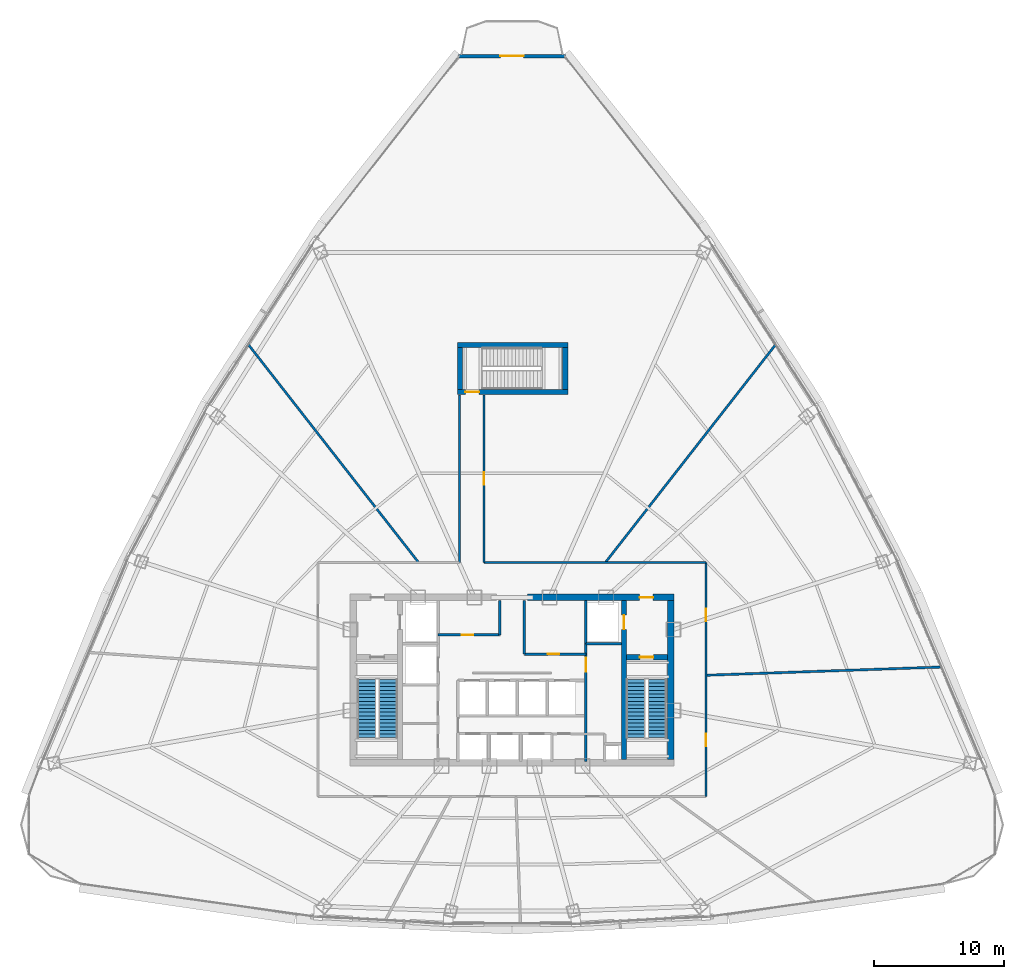
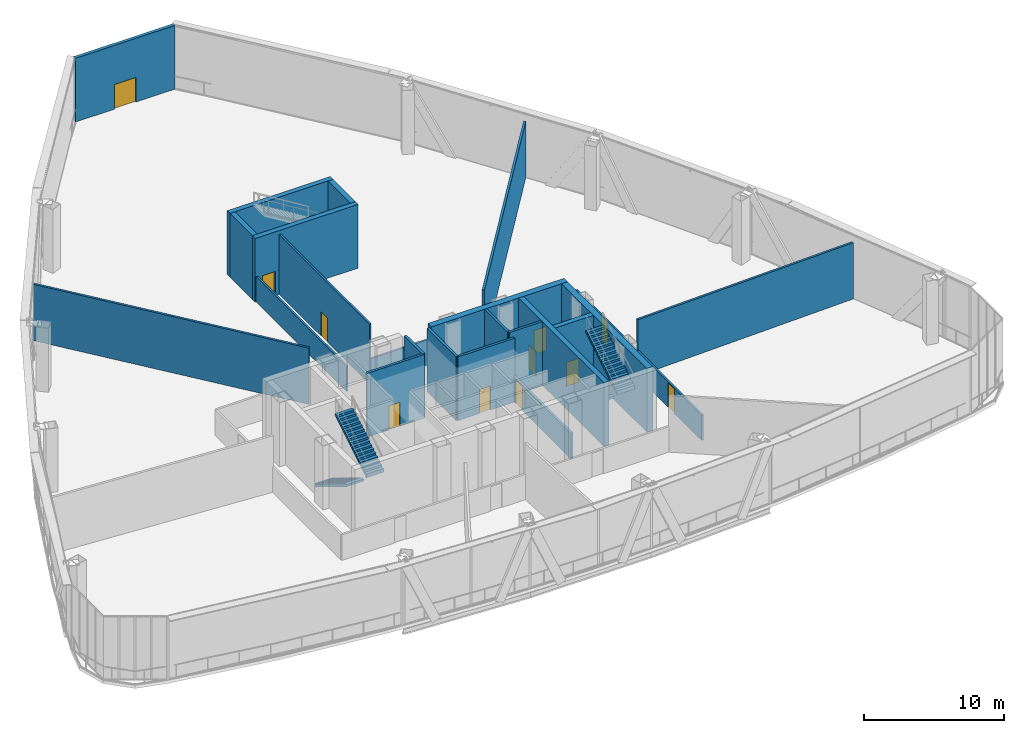
# One storey, part 31 of 38: 23 walls, 11 doors, 4 stair flights, 11 openings, 2 elements without a shape of their own.
"""IFC4 building model written with IfcOpenShell, lengths in metres."""

import ifcopenshell
import ifcopenshell.guid

model = None  # the IFC model being written
_history = None  # IfcOwnerHistory: only IFC2X3 demands one
_inside = {}  # id of a spatial element -> (the spatial element, [elements in it])
_under = {}  # id of a project, library or spatial element -> (it, [spatial elements below it])
_declared = {}  # id of a project -> (the project, [libraries it declares])
_typed = {}  # id of a type object -> (the type object, [elements of that type])
_made_of = {}  # id of a material, layer set ... -> (it, [elements and type objects made of it])


def new_model(schema):
    """Start an empty IFC model of exactly this schema.

    Asked for "IFC4X3", IfcOpenShell would pick the latest addendum, in which some entities
    have other attributes; the version numbers below select the first issue.
    IFC2X3 requires an IfcOwnerHistory on every rooted entity: one is made here for all.
    """
    global model, _history
    if schema == "IFC4X3":
        model = ifcopenshell.file(schema_version=(4, 3, 0, 0))
    else:
        model = ifcopenshell.file(schema=schema)
    _inside.clear()
    _under.clear()
    _declared.clear()
    _typed.clear()
    _made_of.clear()
    _history = None
    if model.schema == "IFC2X3":
        org = make("IfcOrganization", Name="unknown")
        user = make(
            "IfcPersonAndOrganization",
            ThePerson=make("IfcPerson", FamilyName="unknown"),
            TheOrganization=org,
        )
        app = make(
            "IfcApplication",
            ApplicationDeveloper=org,
            Version="unknown",
            ApplicationFullName="unknown",
            ApplicationIdentifier="unknown",
        )
        _history = make(
            "IfcOwnerHistory",
            OwningUser=user,
            OwningApplication=app,
            ChangeAction="ADDED",
            CreationDate=0,
        )
    return model


def make(cls, **values):
    """One entity of the class cls with the attributes given. An attribute that is None is left unset."""
    return model.create_entity(
        cls, **{name: value for name, value in values.items() if value is not None}
    )


def rooted(cls, **values):
    """An entity with a GlobalId (a new one), such as an element, a storey or a relation."""
    return make(cls, GlobalId=ifcopenshell.guid.new(), OwnerHistory=_history, **values)


def si_unit(unit_type, name, prefix=None):
    """IfcSIUnit, for example si_unit("LENGTHUNIT", "METRE", prefix="MILLI")."""
    return make("IfcSIUnit", UnitType=unit_type, Prefix=prefix, Name=name)


def assignment(units):
    """IfcUnitAssignment: the units of a project."""
    return None if units is None else make("IfcUnitAssignment", Units=units)


def point(xyz):
    """IfcCartesianPoint."""
    return None if xyz is None else make("IfcCartesianPoint", Coordinates=xyz)


def direction(xyz):
    """IfcDirection."""
    return None if xyz is None else make("IfcDirection", DirectionRatios=xyz)


def frame(location, z_axis=None, x_axis=None):
    """IfcAxis2Placement3D, a coordinate frame: its origin and axes. An axis left out is left unset."""
    return make(
        "IfcAxis2Placement3D",
        Location=point(location),
        Axis=direction(z_axis),
        RefDirection=direction(x_axis),
    )


def frame_2d(location, x_axis=None):
    """IfcAxis2Placement2D, a coordinate frame in the plane: its origin and x axis."""
    return make(
        "IfcAxis2Placement2D", Location=point(location), RefDirection=direction(x_axis)
    )


def origin():
    """The frame at (0, 0, 0) with its axes left unset."""
    return frame((0.0, 0.0, 0.0))


def origin_with_axes():
    """The frame at (0, 0, 0) with the z axis (0, 0, 1) and the x axis (1, 0, 0) written out."""
    return frame((0.0, 0.0, 0.0), z_axis=(0.0, 0.0, 1.0), x_axis=(1.0, 0.0, 0.0))


def place(relative_to, where):
    """IfcLocalPlacement: puts the frame where relative to a parent placement (None: the world)."""
    return make(
        "IfcLocalPlacement", PlacementRelTo=relative_to, RelativePlacement=where
    )


def context(
    kind, dimensions, precision=None, world=None, true_north=None, identifier=None
):
    """IfcGeometricRepresentationContext, for example the 3D "Model" context."""
    return make(
        "IfcGeometricRepresentationContext",
        ContextIdentifier=identifier,
        ContextType=kind,
        CoordinateSpaceDimension=dimensions,
        Precision=precision,
        WorldCoordinateSystem=world,
        TrueNorth=true_north,
    )


def subcontext(parent, identifier, kind, view, scale=None):
    """IfcGeometricRepresentationSubContext, for example "Body" below "Model"."""
    return make(
        "IfcGeometricRepresentationSubContext",
        ContextIdentifier=identifier,
        ContextType=kind,
        ParentContext=parent,
        TargetScale=scale,
        TargetView=view,
    )


def project(units=None, contexts=None):
    """IfcProject with its units and contexts."""
    return rooted(
        "IfcProject",
        Name="project",
        RepresentationContexts=contexts,
        UnitsInContext=assignment(units),
    )


def spatial(cls, under=None, at=None, **own):
    """A site, building, storey or space (cls), placed at a placement, below another one or the project."""
    s = rooted(cls, ObjectPlacement=at, **own)
    if under is not None:
        _under.setdefault(under.id(), (under, []))[1].append(s)
    return s


def polyline(points):
    """IfcPolyline through the points."""
    return make("IfcPolyline", Points=[point(p) for p in points])


def profile(cls, at=None, kind="AREA", **sizes):
    """A parametric profile (cls). Its sizes go by their IFC names, for example OverallWidth=200.0."""
    return make(cls, ProfileType=kind, Position=at, **sizes)


def rectangle(**sizes):
    """IfcRectangleProfileDef."""
    return profile("IfcRectangleProfileDef", **sizes)


def outline(outer, holes=None, kind="AREA"):
    """IfcArbitraryClosedProfileDef: a profile drawn as a closed curve; with holes, ...WithVoids."""
    if holes is None:
        return make("IfcArbitraryClosedProfileDef", ProfileType=kind, OuterCurve=outer)
    return make(
        "IfcArbitraryProfileDefWithVoids",
        ProfileType=kind,
        OuterCurve=outer,
        InnerCurves=holes,
    )


def extrude(swept, where, along, depth):
    """IfcExtrudedAreaSolid: the profile swept, set in the frame where, extruded along a direction by depth."""
    return make(
        "IfcExtrudedAreaSolid",
        SweptArea=swept,
        Position=where,
        ExtrudedDirection=direction(along),
        Depth=depth,
    )


def shape(context_of_items, identifier, shape_type, items):
    """IfcShapeRepresentation: the items that make up one representation, for example the "Body"."""
    return make(
        "IfcShapeRepresentation",
        ContextOfItems=context_of_items,
        RepresentationIdentifier=identifier,
        RepresentationType=shape_type,
        Items=items,
    )


def source(mapping_origin, context_of_items, identifier, shape_type, items):
    """IfcRepresentationMap: a shape defined once, which mapped items show again and again."""
    return make(
        "IfcRepresentationMap",
        MappingOrigin=mapping_origin,
        MappedRepresentation=shape(context_of_items, identifier, shape_type, items),
    )


def transform(
    local_origin,
    x_axis=None,
    y_axis=None,
    z_axis=None,
    scale=None,
    scale2=None,
    scale3=None,
    uniform=True,
):
    """IfcCartesianTransformationOperator3D, or its non-uniform kind. x_axis, y_axis, z_axis: its Axis1, 2, 3."""
    if uniform:
        return make(
            "IfcCartesianTransformationOperator3D",
            Axis1=direction(x_axis),
            Axis2=direction(y_axis),
            LocalOrigin=point(local_origin),
            Scale=scale,
            Axis3=direction(z_axis),
        )
    return make(
        "IfcCartesianTransformationOperator3DnonUniform",
        Axis1=direction(x_axis),
        Axis2=direction(y_axis),
        LocalOrigin=point(local_origin),
        Scale=scale,
        Axis3=direction(z_axis),
        Scale2=scale2,
        Scale3=scale3,
    )


def mapped(mapping_source, mapping_target):
    """IfcMappedItem: shows the shape of a source again, moved by a transform."""
    return make(
        "IfcMappedItem", MappingSource=mapping_source, MappingTarget=mapping_target
    )


def material(Name=None, Category=None):
    """IfcMaterial."""
    return make("IfcMaterial", Name=Name, Category=Category)


def layer(
    of_material, thickness, ventilated=None, Name=None, Category=None, Priority=None
):
    """IfcMaterialLayer: one layer of a wall or slab, of a material (None: an air gap)."""
    return make(
        "IfcMaterialLayer",
        Material=of_material,
        LayerThickness=thickness,
        IsVentilated=ventilated,
        Name=Name,
        Category=Category,
        Priority=Priority,
    )


def layer_set(layers, Name=None):
    """IfcMaterialLayerSet."""
    return make("IfcMaterialLayerSet", MaterialLayers=layers, LayerSetName=Name)


def made_of(thing, what):
    """Note that an element or type object is made of a material, layer set ...; save() writes the relation."""
    if what is not None:
        _made_of.setdefault(what.id(), (what, []))[1].append(thing)
    return thing


def type_object(cls, material=None, **own):
    """A type object (cls), such as IfcWallType, which elements share."""
    return made_of(rooted(cls, **own), material)


def element(
    cls,
    number,
    at=None,
    inside=None,
    cuts=None,
    type_object=None,
    material=None,
    context=None,
    identifier="Body",
    shape_type=None,
    held_by="IfcProductDefinitionShape",
    body=None,
    shapes=None,
    **own,
):
    """One element of the class cls, such as IfcWall. Its Tag is "e" and its number.

    at: its placement. inside: the storey or other place that contains it. cuts: it is an
    opening in that element (IfcRelVoidsElement). A single representation is given by context,
    identifier, shape_type and body (its items); several are given by shapes. held_by: the class
    of the entity that holds the representations. save() writes the other relations.
    """
    e = rooted(cls, Tag="e%d" % number, ObjectPlacement=at, **own)
    if body is not None:
        shapes = [shape(context, identifier, shape_type, body)]
    if shapes is not None:
        e.Representation = make(held_by, Representations=shapes)
    if inside is not None:
        _inside.setdefault(inside.id(), (inside, []))[1].append(e)
    if cuts is not None:
        rooted(
            "IfcRelVoidsElement", RelatingBuildingElement=cuts, RelatedOpeningElement=e
        )
    if type_object is not None:
        _typed.setdefault(type_object.id(), (type_object, []))[1].append(e)
    return made_of(e, material)


def fill(opening, filler):
    """IfcRelFillsElement: the door or window that sits in an opening."""
    return rooted(
        "IfcRelFillsElement",
        RelatingOpeningElement=opening,
        RelatedBuildingElement=filler,
    )


def aggregate(whole, parts):
    """IfcRelAggregates: a whole, such as a stair, and the parts it consists of."""
    return rooted("IfcRelAggregates", RelatingObject=whole, RelatedObjects=parts)


def save(model, path):
    """Write the relations noted so far, then the file.

    IfcRelAggregates (storeys below a building ...), IfcRelContainedInSpatialStructure (elements
    in a storey), IfcRelDefinesByType, IfcRelAssociatesMaterial and IfcRelDeclares: one each for
    every whole, place, type object, material and project.
    """
    for whole, parts in _under.values():
        aggregate(whole, parts)
    for where, things in _inside.values():
        rooted(
            "IfcRelContainedInSpatialStructure",
            RelatedElements=things,
            RelatingStructure=where,
        )
    for kind, things in _typed.values():
        rooted("IfcRelDefinesByType", RelatedObjects=things, RelatingType=kind)
    for what, things in _made_of.values():
        rooted("IfcRelAssociatesMaterial", RelatedObjects=things, RelatingMaterial=what)
    for by, libraries in _declared.values():
        rooted("IfcRelDeclares", RelatingContext=by, RelatedDefinitions=libraries)
    model.write(path)


model = new_model("IFC4")

# Units and contexts
model_context = context("Model", 3, precision=1e-05, world=origin(), true_north=direction((0.0, 1.0)))
body_context = subcontext(model_context, "Body", "Model", "MODEL_VIEW")
ifc_project = project(units=[si_unit("LENGTHUNIT", "METRE"), si_unit("AREAUNIT", "SQUARE_METRE"), si_unit("VOLUMEUNIT", "CUBIC_METRE"), si_unit("PLANEANGLEUNIT", "RADIAN"), si_unit("MASSUNIT", "GRAM", prefix="KILO"), si_unit("THERMODYNAMICTEMPERATUREUNIT", "KELVIN"), si_unit("POWERUNIT", "WATT")], contexts=[model_context])

# Site, building, storey
site_placement = place(None, origin())
site = spatial("IfcSite", under=ifc_project, at=site_placement, CompositionType="ELEMENT")
building_placement = place(site_placement, origin())
building = spatial("IfcBuilding", under=site, at=building_placement, Name="Yunzhuo Pagoda Commons", CompositionType="ELEMENT")
storey_placement = place(building_placement, frame((0.0, 0.0, 218.9599609375)))
storey = spatial("IfcBuildingStorey", under=building, at=storey_placement, Name="L55", CompositionType="ELEMENT", Elevation=218.9599609375)

# Wall, opening, door
ifc_material_1 = material(Name="Precast concrete C40", Category="concrete")
ifc_layer_1 = layer(ifc_material_1, 0.260009765625)
ifc_layer_set_1 = layer_set([ifc_layer_1], Name="Precast concrete C40")
wall_type_1 = type_object("IfcWallType", Name="W-BAL1 Corner Balcony Threshold Wall 260", PredefinedType="STANDARD", material=ifc_layer_set_1)
wall_1_placement = place(storey_placement, frame((52.117919921875, 81.80419921875, 0.0), z_axis=(0.0, 0.0, 1.0), x_axis=(-1.0, 0.0, 0.0)))
wall_1 = element("IfcWall", 1, at=wall_1_placement, inside=storey, type_object=wall_type_1, Name="L55 corner balcony wall V3", PredefinedType="STANDARD", context=body_context, shape_type="SweptSolid", body=[
    extrude(rectangle(XDim=8.23583984375, YDim=0.260009765625, at=frame_2d((4.117919921875, 0.0))), origin(), (0.0, 0.0, 1.0), 5.570068359375),
])
opening_1_placement = place(wall_1_placement, frame((3.218017578125, 0.0, 0.0)))
opening_1 = element("IfcOpeningElement", 2, at=opening_1_placement, cuts=wall_1, Name="Opening D-BAL1", PredefinedType="OPENING", context=body_context, shape_type="SweptSolid", body=[
    extrude(rectangle(XDim=1.800048828125, YDim=2.14990234375, at=frame_2d((0.89990234375, 1.074951171875))), frame((0.0, 0.14013671875, 0.0), z_axis=(0.0, -1.0, 0.0), x_axis=(1.0, 0.0, 0.0)), (0.0, 0.0, 1.0), 0.280029296875),
])
ifc_material_2 = material(Name="Anodized aluminium frame and tempered glazed leaf", Category="aluminium")
door_type_1 = type_object("IfcDoorType", Name="D-BAL1 Corner Balcony Sliding Glazed Door 1800x2150", OperationType="DOUBLE_DOOR_SLIDING", PredefinedType="DOOR", material=ifc_material_2)
shared_shape_1 = source(origin(), body_context, "Body", "SweptSolid", [
    extrude(rectangle(XDim=1.800048828125, YDim=2.14990234375, at=frame_2d((0.89990234375, 1.074951171875))), frame((0.0, 0.02490234375, 0.0), z_axis=(0.0, -1.0, 0.0), x_axis=(1.0, 0.0, 0.0)), (0.0, 0.0, 1.0), 0.050048828125),
])
door_1_placement = place(opening_1_placement, origin_with_axes())
door_1 = element("IfcDoor", 3, at=door_1_placement, inside=storey, type_object=door_type_1, Name="L55 corner balcony sliding door V3", OperationType="DOUBLE_DOOR_SLIDING", OverallHeight=2.14990234375, OverallWidth=1.800048828125, PredefinedType="DOOR", context=body_context, shape_type="MappedRepresentation", body=[
    mapped(shared_shape_1, transform((0.0, 0.0, 0.0), scale=1.0)),
])
fill(opening_1, door_1)

ifc_material_3 = material(Name="Concrete C50", Category="concrete")
ifc_layer_2 = layer(ifc_material_3, 0.5)
ifc_layer_set_2 = layer_set([ifc_layer_2], Name="Concrete C50")
wall_type_2 = type_object("IfcWallType", Name="W-C03 Upper Core Shear Wall 500", PredefinedType="SHEAR", material=ifc_layer_set_2)
wall_2_placement = place(storey_placement, frame((49.199951171875, 40.199951171875, 0.0), z_axis=(0.0, 0.0, 1.0), x_axis=(1.0, 0.0, 0.0)))
wall_2 = element("IfcWall", 4, at=wall_2_placement, inside=storey, type_object=wall_type_2, Name="L55 core shear wall NE", PredefinedType="SHEAR", context=body_context, shape_type="SweptSolid", body=[
    extrude(rectangle(XDim=11.25, YDim=0.5, at=frame_2d((5.625, 0.0))), origin(), (0.0, 0.0, 1.0), 5.570068359375),
])
opening_2_placement = place(wall_2_placement, frame((8.60009765625, 0.0, 0.0)))
opening_2 = element("IfcOpeningElement", 5, at=opening_2_placement, cuts=wall_2, Name="Opening D-02", PredefinedType="OPENING", context=body_context, shape_type="SweptSolid", body=[
    extrude(rectangle(XDim=1.050048828125, YDim=2.10009765625, at=frame_2d((0.52490234375, 1.050048828125))), frame((0.0, 0.260009765625, 0.0), z_axis=(0.0, -1.0, 0.0), x_axis=(1.0, 0.0, 0.0)), (0.0, 0.0, 1.0), 0.52001953125),
])
ifc_material_4 = material(Name="Galvanized fire-resisting metal leaf")
door_type_2 = type_object("IfcDoorType", Name="D-02 Firefighting Lobby & Refuge Fire Door 1050x2100", OperationType="NOTDEFINED", PredefinedType="DOOR", material=ifc_material_4)
shared_shape_2 = source(origin(), body_context, "Body", "SweptSolid", [
    extrude(rectangle(XDim=1.050048828125, YDim=2.10009765625, at=frame_2d((0.52490234375, 1.050048828125))), frame((0.0, 0.02490234375, 0.0), z_axis=(0.0, -1.0, 0.0), x_axis=(1.0, 0.0, 0.0)), (0.0, 0.0, 1.0), 0.050048828125),
])
door_2_placement = place(opening_2_placement, frame((1.050048828125, 0.0, 0.0), z_axis=(0.0, 0.0, 1.0), x_axis=(-1.0, 0.0, 0.0)))
door_2 = element("IfcDoor", 6, at=door_2_placement, inside=storey, type_object=door_type_2, Name="L55 Firefighting Lobby 2 fire door", OperationType="SINGLE_SWING_RIGHT", OverallHeight=2.10009765625, OverallWidth=1.050048828125, PredefinedType="DOOR", context=body_context, shape_type="MappedRepresentation", body=[
    mapped(shared_shape_2, transform((0.0, 0.0, 0.0), scale=1.0)),
])
fill(opening_2, door_2)

# Wall
wall_3_placement = place(storey_placement, frame((60.199951171875, 27.75, 0.0), z_axis=(0.0, 0.0, 1.0), x_axis=(0.0, 1.0, 0.0)))
element("IfcWall", 7, at=wall_3_placement, inside=storey, type_object=wall_type_2, Name="L55 core shear wall E", PredefinedType="SHEAR", context=body_context, shape_type="SweptSolid", body=[
    extrude(rectangle(XDim=12.199951171875, YDim=0.5, at=frame_2d((6.10009765625, 0.0))), origin(), (0.0, 0.0, 1.0), 5.570068359375),
])

# Wall, opening, door
ifc_material_5 = material(Name="Gypsum plasterboard on acoustic stud")
ifc_layer_3 = layer(ifc_material_5, 0.155029296875)
ifc_layer_set_3 = layer_set([ifc_layer_3], Name="Gypsum plasterboard on acoustic stud")
wall_type_3 = type_object("IfcWallType", Name="W-COR2 Mid-Zone Rated Corridor Wall 155", PredefinedType="PARTITIONING", material=ifc_layer_set_3)
wall_4_placement = place(storey_placement, frame((45.85009765625, 55.780029296875, 0.0), z_axis=(0.0, 0.0, 1.0), x_axis=(0.0, -1.0, 0.0)))
wall_4 = element("IfcWall", 8, at=wall_4_placement, inside=storey, type_object=wall_type_3, Name="L55 interior wall IW-L55-SCW01", PredefinedType="PARTITIONING", context=body_context, shape_type="SweptSolid", body=[
    extrude(rectangle(XDim=12.880126953125, YDim=0.155029296875, at=frame_2d((6.43994140625, 0.0))), origin(), (0.0, 0.0, 1.0), 5.219970703125),
])
opening_3_placement = place(wall_4_placement, frame((5.965087890625, 0.0, 0.0)))
opening_3 = element("IfcOpeningElement", 9, at=opening_3_placement, cuts=wall_4, Name="Opening D-07", PredefinedType="OPENING", context=body_context, shape_type="SweptSolid", body=[
    extrude(rectangle(XDim=0.9599609375, YDim=2.1201171875, at=frame_2d((0.47998046875, 1.06005859375))), frame((0.0, 0.08740234375, 0.0), z_axis=(0.0, -1.0, 0.0), x_axis=(1.0, 0.0, 0.0)), (0.0, 0.0, 1.0), 0.175048828125),
])
door_type_3 = type_object("IfcDoorType", Name="D-07 Mid-Zone Suite Entrance Fire Door 960x2120", OperationType="NOTDEFINED", PredefinedType="DOOR", material=ifc_material_4)
shared_shape_3 = source(origin(), body_context, "Body", "SweptSolid", [
    extrude(rectangle(XDim=0.9599609375, YDim=2.1201171875, at=frame_2d((0.47998046875, 1.06005859375))), frame((0.0, 0.02490234375, 0.0), z_axis=(0.0, -1.0, 0.0), x_axis=(1.0, 0.0, 0.0)), (0.0, 0.0, 1.0), 0.050048828125),
])
door_3_placement = place(opening_3_placement, origin_with_axes())
door_3 = element("IfcDoor", 10, at=door_3_placement, inside=storey, type_object=door_type_3, Name="L55 Co-Working Study Commons door", OperationType="SINGLE_SWING_RIGHT", OverallHeight=2.1201171875, OverallWidth=0.9599609375, PredefinedType="DOOR", context=body_context, shape_type="MappedRepresentation", body=[
    mapped(shared_shape_3, transform((0.0, 0.0, 0.0), scale=1.0)),
])
fill(opening_3, door_3)

# Wall
wall_5_placement = place(storey_placement, frame((45.85009765625, 42.89990234375, 0.0), z_axis=(0.0, 0.0, 1.0), x_axis=(1.0, 0.0, 0.0)))
element("IfcWall", 11, at=wall_5_placement, inside=storey, type_object=wall_type_3, Name="L55 interior wall IW-L55-SCW02", PredefinedType="PARTITIONING", context=body_context, shape_type="SweptSolid", body=[
    extrude(rectangle(XDim=17.0498046875, YDim=0.155029296875, at=frame_2d((8.52490234375, 0.0))), origin(), (0.0, 0.0, 1.0), 2.219970703125),
])

# Wall, openings, doors
wall_6_placement = place(storey_placement, frame((62.89990234375, 42.89990234375, 0.0), z_axis=(0.0, 0.0, 1.0), x_axis=(0.0, -1.0, 0.0)))
wall_6 = element("IfcWall", 12, at=wall_6_placement, inside=storey, type_object=wall_type_3, Name="L55 interior wall IW-L55-SCW03", PredefinedType="PARTITIONING", context=body_context, shape_type="SweptSolid", body=[
    extrude(rectangle(XDim=18.0, YDim=0.155029296875, at=frame_2d((9.0, 0.0))), origin(), (0.0, 0.0, 1.0), 2.219970703125),
])
opening_4_placement = place(wall_6_placement, frame((3.564697265625, 0.0, 0.0)))
opening_4 = element("IfcOpeningElement", 13, at=opening_4_placement, cuts=wall_6, Name="Opening D-07", PredefinedType="OPENING", context=body_context, shape_type="SweptSolid", body=[
    extrude(rectangle(XDim=0.9599609375, YDim=2.1201171875, at=frame_2d((0.47998046875, 1.06005859375))), frame((0.0, 0.08740234375, 0.0), z_axis=(0.0, -1.0, 0.0), x_axis=(1.0, 0.0, 0.0)), (0.0, 0.0, 1.0), 0.175048828125),
])
opening_5_placement = place(wall_6_placement, frame((13.164794921875, 0.0, 0.0)))
opening_5 = element("IfcOpeningElement", 14, at=opening_5_placement, cuts=wall_6, Name="Opening D-07", PredefinedType="OPENING", context=body_context, shape_type="SweptSolid", body=[
    extrude(rectangle(XDim=0.9599609375, YDim=2.1201171875, at=frame_2d((0.47998046875, 1.06005859375))), frame((0.0, 0.08740234375, 0.0), z_axis=(0.0, -1.0, 0.0), x_axis=(1.0, 0.0, 0.0)), (0.0, 0.0, 1.0), 0.175048828125),
])
door_4_placement = place(opening_4_placement, origin_with_axes())
door_4 = element("IfcDoor", 15, at=door_4_placement, inside=storey, type_object=door_type_3, Name="L55 Mid-to-High Sky Lobby Gallery door", OperationType="SINGLE_SWING_LEFT", OverallHeight=2.1201171875, OverallWidth=0.9599609375, PredefinedType="DOOR", context=body_context, shape_type="MappedRepresentation", body=[
    mapped(shared_shape_3, transform((0.0, 0.0, 0.0), scale=1.0)),
])
fill(opening_4, door_4)
door_5_placement = place(opening_5_placement, origin_with_axes())
door_5 = element("IfcDoor", 16, at=door_5_placement, inside=storey, type_object=door_type_3, Name="L55 Sky Lobby Study Lounge door", OperationType="SINGLE_SWING_LEFT", OverallHeight=2.1201171875, OverallWidth=0.9599609375, PredefinedType="DOOR", context=body_context, shape_type="MappedRepresentation", body=[
    mapped(shared_shape_3, transform((0.0, 0.0, 0.0), scale=1.0)),
])
fill(opening_5, door_5)

# Walls
wall_7_placement = place(storey_placement, frame((43.949951171875, 42.89990234375, 0.0), z_axis=(0.0, 0.0, 1.0), x_axis=(0.0, 1.0, 0.0)))
element("IfcWall", 17, at=wall_7_placement, inside=storey, type_object=wall_type_3, Name="L55 interior wall IW-L55-SCW07", PredefinedType="PARTITIONING", context=body_context, shape_type="SweptSolid", body=[
    extrude(rectangle(XDim=12.880126953125, YDim=0.155029296875, at=frame_2d((6.43994140625, 0.0))), origin(), (0.0, 0.0, 1.0), 2.219970703125),
])
ifc_layer_4 = layer(ifc_material_5, 0.175048828125)
ifc_layer_set_4 = layer_set([ifc_layer_4], Name="Gypsum plasterboard on acoustic stud")
wall_type_4 = type_object("IfcWallType", Name="W-PRT3 Mid-Zone Demising Wall 175", PredefinedType="PARTITIONING", material=ifc_layer_set_4)
wall_8_placement = place(storey_placement, frame((62.89990234375, 34.22021484375, 0.0), z_axis=(0.0, 0.0, 1.0), x_axis=(0.999390657583, 0.034904348392, 0.0)))
element("IfcWall", 18, at=wall_8_placement, inside=storey, type_object=wall_type_4, Name="L55 interior wall IW-L55-SRAD1", PredefinedType="PARTITIONING", context=body_context, shape_type="SweptSolid", body=[
    extrude(rectangle(XDim=18.164794921875, YDim=0.175048828125, at=frame_2d((9.08251953125, 0.0))), origin(), (0.0, 0.0, 1.0), 4.919921875),
])
for number, where, z_axis, x_axis, name in (
    (19, (55.187744140625, 42.89990234375, 0.0), (0.0, 0.0, 1.0), (0.615664301783, 0.788008545328, 0.0), "L55 interior wall IW-L55-SRAD2"),
    (20, (40.812255859375, 42.89990234375, 0.0), (0.0, 0.0, 1.0), (-0.615664301783, 0.788008545328, 0.0), "L55 interior wall IW-L55-SRAD3"),
):
    element("IfcWall", number, at=place(storey_placement, frame(where, z_axis=z_axis, x_axis=x_axis)), inside=storey, type_object=wall_type_4, Name=name, PredefinedType="PARTITIONING", context=body_context, shape_type="SweptSolid", body=[
        extrude(rectangle(XDim=21.280029296875, YDim=0.175048828125, at=frame_2d((10.64013671875, 0.0))), origin(), (0.0, 0.0, 1.0), 4.919921875),
    ])

# Wall, opening, door
ifc_material_6 = material(Name="Concrete C60", Category="concrete")
ifc_layer_5 = layer(ifc_material_6, 0.39990234375)
ifc_layer_set_5 = layer_set([ifc_layer_5], Name="Concrete C60")
wall_type_5 = type_object("IfcWallType", Name="W-S01 Internal Core Shear Web 400", PredefinedType="SHEAR", material=ifc_layer_set_5)
wall_9_placement = place(storey_placement, frame((56.60009765625, 27.75, 0.0), z_axis=(0.0, 0.0, 1.0), x_axis=(0.0, 1.0, 0.0)))
wall_9 = element("IfcWall", 21, at=wall_9_placement, inside=storey, type_object=wall_type_5, Name="L55 core shear wall WEBE", PredefinedType="SHEAR", context=body_context, shape_type="SweptSolid", body=[
    extrude(rectangle(XDim=12.199951171875, YDim=0.39990234375, at=frame_2d((6.10009765625, 0.0))), origin(), (0.0, 0.0, 1.0), 5.570068359375),
])
opening_6_placement = place(wall_9_placement, frame((10.0, 0.0, 0.0)))
opening_6 = element("IfcOpeningElement", 22, at=opening_6_placement, cuts=wall_9, Name="Opening LD-01", PredefinedType="OPENING", context=body_context, shape_type="SweptSolid", body=[
    extrude(rectangle(XDim=1.10009765625, YDim=2.10009765625, at=frame_2d((0.550048828125, 1.050048828125))), frame((0.0, 0.2099609375, 0.0), z_axis=(0.0, -1.0, 0.0), x_axis=(1.0, 0.0, 0.0)), (0.0, 0.0, 1.0), 0.419921875),
])
door_type_4 = type_object("IfcDoorType", Name="LD-01 Firefighting Lift Landing Door 1100x2100", OperationType="DOUBLE_DOOR_SLIDING", PredefinedType="DOOR", material=ifc_material_4)
shared_shape_4 = source(origin(), body_context, "Body", "SweptSolid", [
    extrude(rectangle(XDim=1.10009765625, YDim=2.10009765625, at=frame_2d((0.550048828125, 1.050048828125))), frame((0.0, 0.02490234375, 0.0), z_axis=(0.0, -1.0, 0.0), x_axis=(1.0, 0.0, 0.0)), (0.0, 0.0, 1.0), 0.050048828125),
])
door_6_placement = place(opening_6_placement, origin_with_axes())
door_6 = element("IfcDoor", 23, at=door_6_placement, inside=storey, type_object=door_type_4, Name="L55 Firefighting lift FL-2 landing door", OperationType="DOUBLE_DOOR_SLIDING", OverallHeight=2.10009765625, OverallWidth=1.10009765625, PredefinedType="DOOR", context=body_context, shape_type="MappedRepresentation", body=[
    mapped(shared_shape_4, transform((0.0, 0.0, 0.0), scale=1.0)),
])
fill(opening_6, door_6)

wall_10_placement = place(storey_placement, frame((56.800048828125, 35.60009765625, 0.0), z_axis=(0.0, 0.0, 1.0), x_axis=(1.0, 0.0, 0.0)))
wall_10 = element("IfcWall", 24, at=wall_10_placement, inside=storey, type_object=wall_type_5, Name="L55 core shear wall STE", PredefinedType="SHEAR", context=body_context, shape_type="SweptSolid", body=[
    extrude(rectangle(XDim=3.14990234375, YDim=0.39990234375, at=frame_2d((1.574951171875, 0.0))), origin(), (0.0, 0.0, 1.0), 5.570068359375),
])
opening_7_placement = place(wall_10_placement, frame((1.02001953125, 0.0, 0.0)))
opening_7 = element("IfcOpeningElement", 25, at=opening_7_placement, cuts=wall_10, Name="Opening D-01", PredefinedType="OPENING", context=body_context, shape_type="SweptSolid", body=[
    extrude(rectangle(XDim=1.050048828125, YDim=2.10009765625, at=frame_2d((0.52490234375, 1.050048828125))), frame((0.0, 0.2099609375, 0.0), z_axis=(0.0, -1.0, 0.0), x_axis=(1.0, 0.0, 0.0)), (0.0, 0.0, 1.0), 0.419921875),
])
door_type_5 = type_object("IfcDoorType", Name="D-01 Smokeproof Stair Fire Door 1050x2100", OperationType="NOTDEFINED", PredefinedType="DOOR", material=ifc_material_4)
door_7_placement = place(opening_7_placement, frame((1.050048828125, 0.0, 0.0), z_axis=(0.0, 0.0, 1.0), x_axis=(-1.0, 0.0, 0.0)))
door_7 = element("IfcDoor", 26, at=door_7_placement, inside=storey, type_object=door_type_5, Name="L55 Stair ST2 fire door", OperationType="SINGLE_SWING_RIGHT", OverallHeight=2.10009765625, OverallWidth=1.050048828125, PredefinedType="DOOR", context=body_context, shape_type="MappedRepresentation", body=[
    mapped(shared_shape_2, transform((0.0, 0.0, 0.0), scale=1.0)),
])
fill(opening_7, door_7)

# Wall
wall_11_placement = place(storey_placement, frame((43.800048828125, 59.60009765625, 0.0), z_axis=(0.0, 0.0, 1.0), x_axis=(1.0, 0.0, 0.0)))
element("IfcWall", 27, at=wall_11_placement, inside=storey, type_object=wall_type_5, Name="L55 ST3 structural stair wall N", PredefinedType="SHEAR", context=body_context, shape_type="SweptSolid", body=[
    extrude(rectangle(XDim=8.5, YDim=0.39990234375, at=frame_2d((4.25, 0.0))), origin(), (0.0, 0.0, 1.0), 5.570068359375),
])

# Wall, opening, door
wall_12_placement = place(storey_placement, frame((43.800048828125, 56.0, 0.0), z_axis=(0.0, 0.0, 1.0), x_axis=(1.0, 0.0, 0.0)))
wall_12 = element("IfcWall", 28, at=wall_12_placement, inside=storey, type_object=wall_type_5, Name="L55 ST3 structural stair wall S", PredefinedType="SHEAR", context=body_context, shape_type="SweptSolid", body=[
    extrude(rectangle(XDim=8.5, YDim=0.39990234375, at=frame_2d((4.25, 0.0))), origin(), (0.0, 0.0, 1.0), 5.570068359375),
])
opening_8_placement = place(wall_12_placement, frame((0.6201171875, 0.0, 0.0)))
opening_8 = element("IfcOpeningElement", 29, at=opening_8_placement, cuts=wall_12, Name="Opening D-01", PredefinedType="OPENING", context=body_context, shape_type="SweptSolid", body=[
    extrude(rectangle(XDim=1.050048828125, YDim=2.10009765625, at=frame_2d((0.52490234375, 1.050048828125))), frame((0.0, 0.2099609375, 0.0), z_axis=(0.0, -1.0, 0.0), x_axis=(1.0, 0.0, 0.0)), (0.0, 0.0, 1.0), 0.419921875),
])
door_8_placement = place(opening_8_placement, frame((1.050048828125, 0.0, 0.0), z_axis=(0.0, 0.0, 1.0), x_axis=(-1.0, 0.0, 0.0)))
door_8 = element("IfcDoor", 30, at=door_8_placement, inside=storey, type_object=door_type_5, Name="L55 Stair ST3 fire door", OperationType="SINGLE_SWING_LEFT", OverallHeight=2.10009765625, OverallWidth=1.050048828125, PredefinedType="DOOR", context=body_context, shape_type="MappedRepresentation", body=[
    mapped(shared_shape_2, transform((0.0, 0.0, 0.0), scale=1.0)),
])
fill(opening_8, door_8)

# Walls
for number, where, z_axis, x_axis, name in (
    (31, (44.0, 56.199951171875, 0.0), (0.0, 0.0, 1.0), (0.0, 1.0, 0.0), "L55 ST3 structural stair wall W"),
    (32, (52.10009765625, 56.199951171875, 0.0), (0.0, 0.0, 1.0), (0.0, 1.0, 0.0), "L55 ST3 structural stair wall E"),
):
    element("IfcWall", number, at=place(storey_placement, frame(where, z_axis=z_axis, x_axis=x_axis)), inside=storey, type_object=wall_type_5, Name=name, PredefinedType="SHEAR", context=body_context, shape_type="SweptSolid", body=[
        extrude(rectangle(XDim=3.199951171875, YDim=0.39990234375, at=frame_2d((1.60009765625, 0.0))), origin(), (0.0, 0.0, 1.0), 5.570068359375),
    ])
ifc_material_7 = material(Name="Concrete C40", Category="concrete")
ifc_layer_6 = layer(ifc_material_7, 0.199951171875)
ifc_layer_set_6 = layer_set([ifc_layer_6], Name="Concrete C40")
wall_type_6 = type_object("IfcWallType", Name="W-SHF Shaft & Stair Enclosure Wall 200", PredefinedType="SOLIDWALL", material=ifc_layer_set_6)
wall_13_placement = place(storey_placement, frame((53.679931640625, 36.64990234375, 0.0), z_axis=(0.0, 0.0, 1.0), x_axis=(0.0, 1.0, 0.0)))
element("IfcWall", 33, at=wall_13_placement, inside=storey, type_object=wall_type_6, Name="L55 interior wall IW-L55-FL2W", PredefinedType="SOLIDWALL", context=body_context, shape_type="SweptSolid", body=[
    extrude(rectangle(XDim=3.300048828125, YDim=0.199951171875, at=frame_2d((1.64990234375, 0.0))), origin(), (0.0, 0.0, 1.0), 5.570068359375),
])
wall_14_placement = place(storey_placement, frame((53.679931640625, 36.64990234375, 0.0), z_axis=(0.0, 0.0, 1.0), x_axis=(1.0, 0.0, 0.0)))
element("IfcWall", 34, at=wall_14_placement, inside=storey, type_object=wall_type_6, Name="L55 interior wall IW-L55-FL2S", PredefinedType="SOLIDWALL", context=body_context, shape_type="SweptSolid", body=[
    extrude(rectangle(XDim=2.719970703125, YDim=0.199951171875, at=frame_2d((1.35986328125, 0.0))), origin(), (0.0, 0.0, 1.0), 5.570068359375),
])

# Wall, opening, door
wall_15_placement = place(storey_placement, frame((42.320068359375, 37.320068359375, 0.0), z_axis=(0.0, 0.0, 1.0), x_axis=(1.0, 0.0, 0.0)))
wall_15 = element("IfcWall", 35, at=wall_15_placement, inside=storey, type_object=wall_type_6, Name="L55 interior wall IW-L55-LBNW", PredefinedType="SOLIDWALL", context=body_context, shape_type="SweptSolid", body=[
    extrude(rectangle(XDim=4.72998046875, YDim=0.199951171875, at=frame_2d((2.364990234375, 0.0))), origin(), (0.0, 0.0, 1.0), 5.570068359375),
])
opening_9_placement = place(wall_15_placement, frame((1.800048828125, 0.0, 0.0)))
opening_9 = element("IfcOpeningElement", 36, at=opening_9_placement, cuts=wall_15, Name="Opening D-03", PredefinedType="OPENING", context=body_context, shape_type="SweptSolid", body=[
    extrude(rectangle(XDim=0.89990234375, YDim=2.10009765625, at=frame_2d((0.449951171875, 1.050048828125))), frame((0.0, 0.10986328125, 0.0), z_axis=(0.0, -1.0, 0.0), x_axis=(1.0, 0.0, 0.0)), (0.0, 0.0, 1.0), 0.219970703125),
])
door_type_6 = type_object("IfcDoorType", Name="D-03 Core Service Fire Door 900x2100", OperationType="NOTDEFINED", PredefinedType="DOOR", material=ifc_material_4)
shared_shape_5 = source(origin(), body_context, "Body", "SweptSolid", [
    extrude(rectangle(XDim=0.89990234375, YDim=2.10009765625, at=frame_2d((0.449951171875, 1.050048828125))), frame((0.0, 0.02490234375, 0.0), z_axis=(0.0, -1.0, 0.0), x_axis=(1.0, 0.0, 0.0)), (0.0, 0.0, 1.0), 0.050048828125),
])
door_9_placement = place(opening_9_placement, frame((0.89990234375, 0.0, 0.0), z_axis=(0.0, 0.0, 1.0), x_axis=(-1.0, 0.0, 0.0)))
door_9 = element("IfcDoor", 37, at=door_9_placement, inside=storey, type_object=door_type_6, Name="L55 core west store door", OperationType="SINGLE_SWING_LEFT", OverallHeight=2.10009765625, OverallWidth=0.89990234375, PredefinedType="DOOR", context=body_context, shape_type="MappedRepresentation", body=[
    mapped(shared_shape_5, transform((0.0, 0.0, 0.0), scale=1.0)),
])
fill(opening_9, door_9)

wall_16_placement = place(storey_placement, frame((48.949951171875, 35.85009765625, 0.0), z_axis=(0.0, 0.0, 1.0), x_axis=(1.0, 0.0, 0.0)))
wall_16 = element("IfcWall", 38, at=wall_16_placement, inside=storey, type_object=wall_type_6, Name="L55 interior wall IW-L55-LBNE", PredefinedType="SOLIDWALL", context=body_context, shape_type="SweptSolid", body=[
    extrude(rectangle(XDim=4.72998046875, YDim=0.199951171875, at=frame_2d((2.364990234375, 0.0))), origin(), (0.0, 0.0, 1.0), 5.570068359375),
])
opening_10_placement = place(wall_16_placement, frame((1.800048828125, 0.0, 0.0)))
opening_10 = element("IfcOpeningElement", 39, at=opening_10_placement, cuts=wall_16, Name="Opening D-03", PredefinedType="OPENING", context=body_context, shape_type="SweptSolid", body=[
    extrude(rectangle(XDim=0.89990234375, YDim=2.10009765625, at=frame_2d((0.449951171875, 1.050048828125))), frame((0.0, 0.10986328125, 0.0), z_axis=(0.0, -1.0, 0.0), x_axis=(1.0, 0.0, 0.0)), (0.0, 0.0, 1.0), 0.219970703125),
])
door_10_placement = place(opening_10_placement, frame((0.89990234375, 0.0, 0.0), z_axis=(0.0, 0.0, 1.0), x_axis=(-1.0, 0.0, 0.0)))
door_10 = element("IfcDoor", 40, at=door_10_placement, inside=storey, type_object=door_type_6, Name="L55 core east store door", OperationType="SINGLE_SWING_RIGHT", OverallHeight=2.10009765625, OverallWidth=0.89990234375, PredefinedType="DOOR", context=body_context, shape_type="MappedRepresentation", body=[
    mapped(shared_shape_5, transform((0.0, 0.0, 0.0), scale=1.0)),
])
fill(opening_10, door_10)

# Walls
wall_17_placement = place(storey_placement, frame((47.050048828125, 37.320068359375, 0.0), z_axis=(0.0, 0.0, 1.0), x_axis=(0.0, 1.0, 0.0)))
element("IfcWall", 41, at=wall_17_placement, inside=storey, type_object=wall_type_6, Name="L55 interior wall IW-L55-THRW", PredefinedType="SOLIDWALL", context=body_context, shape_type="SweptSolid", body=[
    extrude(rectangle(XDim=2.6298828125, YDim=0.199951171875, at=frame_2d((1.31494140625, 0.0))), origin(), (0.0, 0.0, 1.0), 5.570068359375),
])
wall_18_placement = place(storey_placement, frame((48.949951171875, 35.85009765625, 0.0), z_axis=(0.0, 0.0, 1.0), x_axis=(0.0, 1.0, 0.0)))
element("IfcWall", 42, at=wall_18_placement, inside=storey, type_object=wall_type_6, Name="L55 interior wall IW-L55-THRE", PredefinedType="SOLIDWALL", context=body_context, shape_type="SweptSolid", body=[
    extrude(rectangle(XDim=4.099853515625, YDim=0.199951171875, at=frame_2d((2.0498046875, 0.0))), origin(), (0.0, 0.0, 1.0), 5.570068359375),
])

# Wall, opening, door
wall_19_placement = place(storey_placement, frame((53.679931640625, 27.60009765625, 0.0), z_axis=(0.0, 0.0, 1.0), x_axis=(0.0, 1.0, 0.0)))
wall_19 = element("IfcWall", 43, at=wall_19_placement, inside=storey, type_object=wall_type_6, Name="L55 interior wall IW-L55-PLME", PredefinedType="SOLIDWALL", context=body_context, shape_type="SweptSolid", body=[
    extrude(rectangle(XDim=9.0498046875, YDim=0.199951171875, at=frame_2d((4.52490234375, 0.0))), origin(), (0.0, 0.0, 1.0), 2.219970703125),
])
opening_11_placement = place(wall_19_placement, frame((6.89990234375, 0.0, 0.0)))
opening_11 = element("IfcOpeningElement", 44, at=opening_11_placement, cuts=wall_19, Name="Opening D-02", PredefinedType="OPENING", context=body_context, shape_type="SweptSolid", body=[
    extrude(rectangle(XDim=1.050048828125, YDim=2.10009765625, at=frame_2d((0.52490234375, 1.050048828125))), frame((0.0, 0.10986328125, 0.0), z_axis=(0.0, -1.0, 0.0), x_axis=(1.0, 0.0, 0.0)), (0.0, 0.0, 1.0), 0.219970703125),
])
door_11_placement = place(opening_11_placement, origin_with_axes())
door_11 = element("IfcDoor", 45, at=door_11_placement, inside=storey, type_object=door_type_2, Name="L55 High-bank lift hall door", OperationType="SINGLE_SWING_RIGHT", OverallHeight=2.10009765625, OverallWidth=1.050048828125, PredefinedType="DOOR", context=body_context, shape_type="MappedRepresentation", body=[
    mapped(shared_shape_2, transform((0.0, 0.0, 0.0), scale=1.0)),
])
fill(opening_11, door_11)

# Stair, stair flights
stair_type_1 = type_object("IfcStairType", Name="ST-C1 Core Smokeproof Stair ST1", PredefinedType="HALF_TURN_STAIR", material=ifc_material_7)
stair_1_placement = place(storey_placement, origin())
stair_1 = element("IfcStair", 46, at=stair_1_placement, inside=storey, type_object=stair_type_1, Name="L55 Core smokeproof stair ST1", PredefinedType="HALF_TURN_STAIR")
stair_flight_type_1 = type_object("IfcStairFlightType", Name="STF-C1 Core Stair Flight 1450", PredefinedType="STRAIGHT", material=ifc_material_7)
shared_shape_6 = source(origin(), body_context, "Body", "SweptSolid", [
    extrude(outline(polyline([(0.0, -0.14990234375), (0.0, 0.0), (0.0, 0.172119140625), (0.280029296875, 0.172119140625), (0.280029296875, 0.34423828125), (0.56005859375, 0.34423828125), (0.56005859375, 0.51611328125), (0.840087890625, 0.51611328125), (0.840087890625, 0.688232421875), (1.1201171875, 0.688232421875), (1.1201171875, 0.8603515625), (1.39990234375, 0.8603515625), (1.39990234375, 1.032470703125), (1.679931640625, 1.032470703125), (1.679931640625, 1.204345703125), (1.9599609375, 1.204345703125), (1.9599609375, 1.37646484375), (2.239990234375, 1.37646484375), (2.239990234375, 1.548583984375), (2.52001953125, 1.548583984375), (2.52001953125, 1.720703125), (2.800048828125, 1.720703125), (2.800048828125, 1.892578125), (3.080078125, 1.892578125), (3.080078125, 2.064697265625), (3.360107421875, 2.064697265625), (3.360107421875, 2.23681640625), (3.639892578125, 2.23681640625), (3.639892578125, 2.408935546875), (3.919921875, 2.408935546875), (3.919921875, 2.580810546875), (4.199951171875, 2.580810546875), (4.199951171875, 2.7529296875), (4.47998046875, 2.7529296875), (4.47998046875, 2.925048828125), (4.47998046875, 2.576904296875), (0.286376953125, 0.0), (0.050048828125, -0.14990234375), (0.0, -0.14990234375)])), frame((0.0, 0.72509765625, 0.0), z_axis=(0.0, -1.0, 0.0), x_axis=(1.0, 0.0, 0.0)), (0.0, 0.0, 1.0), 1.449951171875),
])
stair_flight_1_placement = place(storey_placement, frame((36.824951171875, 33.89990234375, 0.0), z_axis=(0.0, 0.0, 1.0), x_axis=(0.0, -1.0, 0.0)))
stair_flight_1 = element("IfcStairFlight", 47, at=stair_flight_1_placement, type_object=stair_flight_type_1, Name="ST1 flight 1", NumberOfRisers=17, NumberOfTreads=16, PredefinedType="STRAIGHT", RiserHeight=0.172058824, TreadLength=0.28, context=body_context, shape_type="MappedRepresentation", body=[
    mapped(shared_shape_6, transform((0.0, 0.0, 0.0), scale=1.0)),
])
stair_flight_2_placement = place(storey_placement, frame((38.47509765625, 29.419921875, 2.925048828125), z_axis=(0.0, 0.0, 1.0), x_axis=(0.0, 1.0, 0.0)))
stair_flight_2 = element("IfcStairFlight", 48, at=stair_flight_2_placement, type_object=stair_flight_type_1, Name="ST1 flight 2", NumberOfRisers=17, NumberOfTreads=16, PredefinedType="STRAIGHT", RiserHeight=0.172058824, TreadLength=0.28, context=body_context, shape_type="MappedRepresentation", body=[
    mapped(shared_shape_6, transform((0.0, 0.0, 0.0), scale=1.0)),
])
aggregate(stair_1, [stair_flight_1, stair_flight_2])

stair_type_2 = type_object("IfcStairType", Name="ST-C2 Core Smokeproof Stair ST2", PredefinedType="HALF_TURN_STAIR", material=ifc_material_7)
stair_2_placement = place(storey_placement, origin())
stair_2 = element("IfcStair", 49, at=stair_2_placement, inside=storey, type_object=stair_type_2, Name="L55 Core smokeproof stair ST2", PredefinedType="HALF_TURN_STAIR")
stair_flight_type_2 = type_object("IfcStairFlightType", Name="STF-C2 Core Stair Flight 1460", PredefinedType="STRAIGHT", material=ifc_material_7)
stair_flight_3_placement = place(storey_placement, frame((57.52490234375, 33.89990234375, 0.0), z_axis=(0.0, 0.0, 1.0), x_axis=(0.0, -1.0, 0.0)))
stair_flight_3 = element("IfcStairFlight", 50, at=stair_flight_3_placement, type_object=stair_flight_type_2, Name="ST2 flight 1", NumberOfRisers=17, NumberOfTreads=16, PredefinedType="STRAIGHT", RiserHeight=0.172058824, TreadLength=0.28, context=body_context, shape_type="MappedRepresentation", body=[
    mapped(shared_shape_6, transform((0.0, 0.0, 0.0), scale=1.0)),
])
stair_flight_4_placement = place(storey_placement, frame((59.175048828125, 29.419921875, 2.925048828125), z_axis=(0.0, 0.0, 1.0), x_axis=(0.0, 1.0, 0.0)))
stair_flight_4 = element("IfcStairFlight", 51, at=stair_flight_4_placement, type_object=stair_flight_type_2, Name="ST2 flight 2", NumberOfRisers=17, NumberOfTreads=16, PredefinedType="STRAIGHT", RiserHeight=0.172058824, TreadLength=0.28, context=body_context, shape_type="MappedRepresentation", body=[
    mapped(shared_shape_6, transform((0.0, 0.0, 0.0), scale=1.0)),
])
aggregate(stair_2, [stair_flight_3, stair_flight_4])

save(model, "model.ifc")
